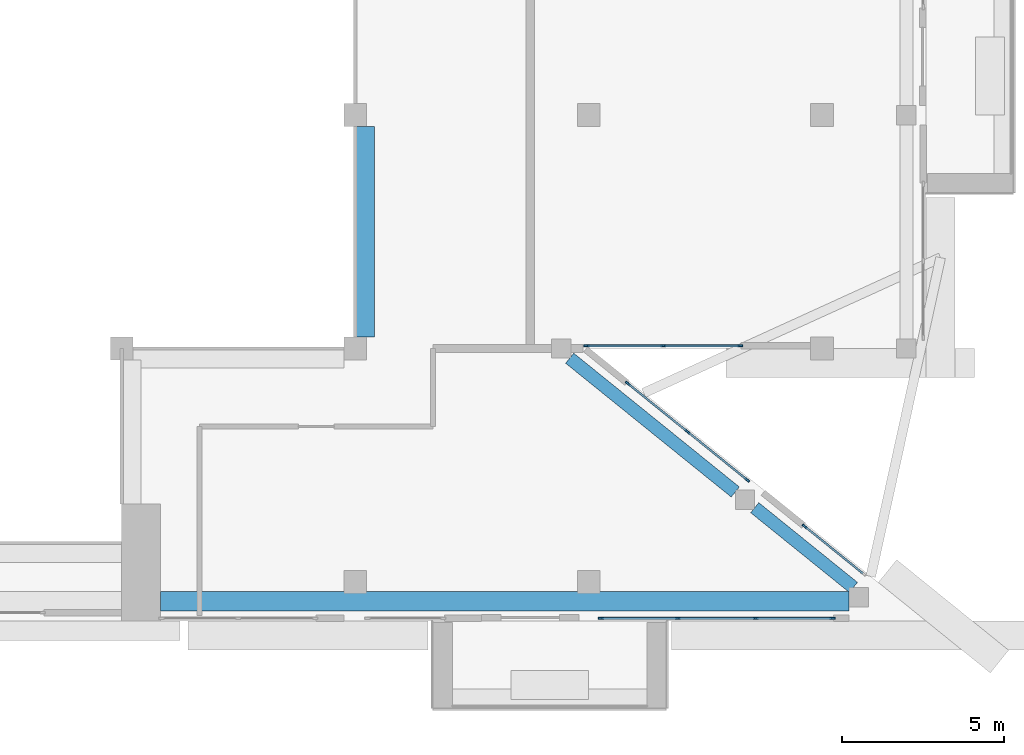
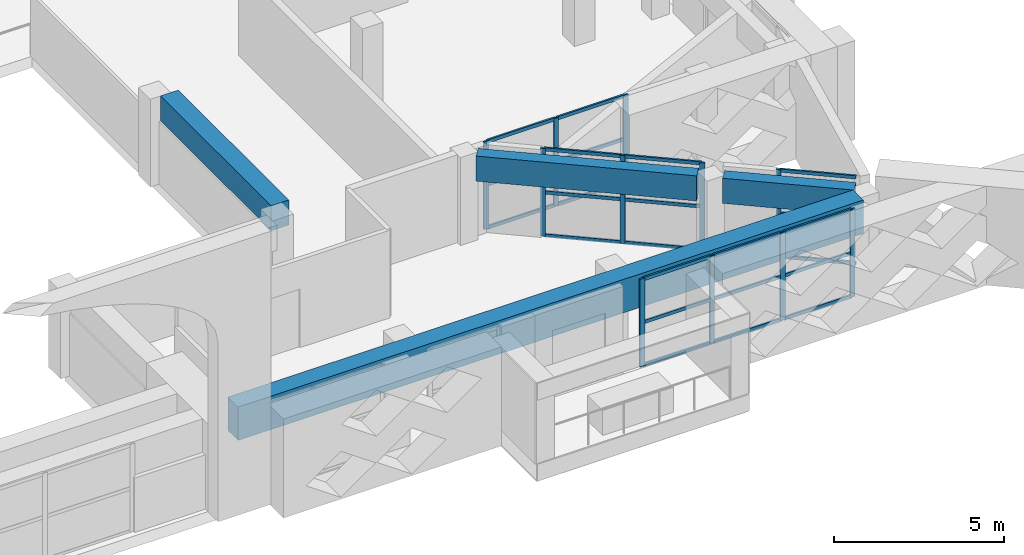
# One storey, part 5 of 22: 35 members, 4 beams, 4 elements without a shape of their own.
"""IFC4 building model written with IfcOpenShell, lengths in metres."""

from ifc_helpers import new_model, si_unit, direction, frame, origin, origin_2d, place, context, subcontext, project, spatial, rectangle, extrude, source, transform, mapped, material, layer, layer_set, material_profile, profile_set, type_object, element, aggregate, save


model = new_model("IFC4")

# Units and contexts
model_context = context("Model", 3, precision=1e-05, world=origin(), true_north=direction((0.0, 1.0)))
body_context = subcontext(model_context, "Body", "Model", "MODEL_VIEW")
ifc_project = project(units=[si_unit("LENGTHUNIT", "METRE"), si_unit("AREAUNIT", "SQUARE_METRE"), si_unit("VOLUMEUNIT", "CUBIC_METRE"), si_unit("PLANEANGLEUNIT", "RADIAN"), si_unit("MASSUNIT", "GRAM", prefix="KILO")], contexts=[model_context])

# Site, building, storey
site_placement = place(None, origin())
site = spatial("IfcSite", under=ifc_project, at=site_placement, CompositionType="ELEMENT")
building_placement = place(site_placement, origin())
building = spatial("IfcBuilding", under=site, at=building_placement, Name="Saffron Iwan Residences", CompositionType="ELEMENT")
storey_placement = place(building_placement, frame((0.0, 0.0, 271.0)))
storey = spatial("IfcBuildingStorey", under=building, at=storey_placement, Name="L73", CompositionType="ELEMENT", Elevation=271.0)

# Beams
ifc_material_1 = material(Name="Concrete C40/50", Category="concrete")
ifc_material_profile_1 = material_profile(ifc_material_1, rectangle(XDim=0.39990234375, YDim=0.89990234375, at=origin_2d()), Name="RC 400x900")
ifc_profile_set_1 = profile_set([ifc_material_profile_1], Name="Concrete C40/50")
beam_type_1 = type_object("IfcBeamType", Name="SPANDREL BEAM RC 400x900 C40/50 TOP 3150", PredefinedType="SPANDREL", material=ifc_profile_set_1)
shared_shape_1 = source(origin(), body_context, "Body", "SweptSolid", [
    extrude(rectangle(XDim=0.39990234375, YDim=0.89990234375, at=origin_2d()), origin(), (0.0, 0.0, 1.0), 3.91162109375),
])
beam_1_placement = place(storey_placement, frame((77.123046875, 43.0908203125, 2.699951171875), z_axis=(0.777943527056, -0.62833420145, 0.0), x_axis=(0.62833420145, 0.777943527056, 0.0)))
element("IfcBeam", 1, at=beam_1_placement, inside=storey, type_object=beam_type_1, Name="Spandrel beam", PredefinedType="SPANDREL", context=body_context, shape_type="MappedRepresentation", body=[
    mapped(shared_shape_1, transform((0.0, 0.0, 0.0))),
])
shared_shape_2 = source(origin(), body_context, "Body", "SweptSolid", [
    extrude(rectangle(XDim=0.39990234375, YDim=0.89990234375, at=origin_2d()), origin(), (0.0, 0.0, 1.0), 6.564208984375),
])
beam_2_placement = place(storey_placement, frame((71.41650390625, 47.699951171875, 2.699951171875), z_axis=(0.77793558619, -0.628344032946, 0.0), x_axis=(0.628344032946, 0.77793558619, 0.0)))
element("IfcBeam", 2, at=beam_2_placement, inside=storey, type_object=beam_type_1, Name="Spandrel beam", PredefinedType="SPANDREL", context=body_context, shape_type="MappedRepresentation", body=[
    mapped(shared_shape_2, transform((0.0, 0.0, 0.0))),
])
ifc_material_profile_2 = material_profile(ifc_material_1, rectangle(XDim=0.60009765625, YDim=1.199951171875, at=origin_2d()), Name="RC 600x1200")
ifc_profile_set_2 = profile_set([ifc_material_profile_2], Name="Concrete C40/50")
beam_type_2 = type_object("IfcBeamType", Name="LINTEL BEAM RC 600x1200 C40/50 TOP 3150", PredefinedType="LINTEL", material=ifc_profile_set_2)
shared_shape_3 = source(origin(), body_context, "Body", "SweptSolid", [
    extrude(rectangle(XDim=0.60009765625, YDim=1.199951171875, at=origin_2d()), origin(), (0.0, 0.0, 1.0), 21.2255859375),
])
beam_3_placement = place(storey_placement, frame((80.025634765625, 40.199951171875, 2.550048828125), z_axis=(-1.0, 0.0, 0.0), x_axis=(0.0, -1.0, 0.0)))
element("IfcBeam", 3, at=beam_3_placement, inside=storey, type_object=beam_type_2, Name="Lintel beam over the iwan", PredefinedType="LINTEL", context=body_context, shape_type="MappedRepresentation", body=[
    mapped(shared_shape_3, transform((0.0, 0.0, 0.0))),
])
ifc_material_profile_3 = material_profile(ifc_material_1, rectangle(XDim=0.60009765625, YDim=0.89990234375, at=origin_2d()), Name="RC 600x900")
ifc_profile_set_3 = profile_set([ifc_material_profile_3], Name="Concrete C40/50")
beam_type_3 = type_object("IfcBeamType", Name="BEAM RC 600x900 C40/50 TOP 3150", PredefinedType="BEAM", material=ifc_profile_set_3)
shared_shape_4 = source(origin(), body_context, "Body", "SweptSolid", [
    extrude(rectangle(XDim=0.60009765625, YDim=0.89990234375, at=origin_2d()), origin(), (0.0, 0.0, 1.0), 6.5),
])
beam_4_placement = place(storey_placement, frame((65.10009765625, 54.85009765625, 2.699951171875), z_axis=(0.0, -1.0, 0.0), x_axis=(1.0, 0.0, 0.0)))
element("IfcBeam", 4, at=beam_4_placement, inside=storey, type_object=beam_type_3, Name="Atrium edge beam", PredefinedType="BEAM", context=body_context, shape_type="MappedRepresentation", body=[
    mapped(shared_shape_4, transform((0.0, 0.0, 0.0))),
])

# Curtain wall, member
ifc_material_2 = material(Name="Clear glass, laminated double glazed", Category="glass")
ifc_layer = layer(ifc_material_2, 0.14990234375)
ifc_layer_set = layer_set([ifc_layer], Name="Clear glass, laminated double glazed")
curtain_wall_type = type_object("IfcCurtainWallType", Name="CW-E SKY CLUB GLAZING", PredefinedType="NOTDEFINED", material=ifc_layer_set)
curtain_wall_1_placement = place(storey_placement, origin())
curtain_wall_1 = element("IfcCurtainWall", 5, at=curtain_wall_1_placement, inside=storey, type_object=curtain_wall_type, Name="Glazing L73 F0.1", PredefinedType="NOTDEFINED")
ifc_material_3 = material(Name="Aluminium 6063-T6", Category="aluminium")
ifc_material_profile_4 = material_profile(ifc_material_3, rectangle(XDim=0.06005859375, YDim=0.159912109375, at=origin_2d()), Name="CW-E MULLION 60 x 160")
ifc_profile_set_4 = profile_set([ifc_material_profile_4], Name="Aluminium 6063-T6")
member_type_1 = type_object("IfcMemberType", Name="CW-E MULLION 60 x 160", PredefinedType="MULLION", material=ifc_profile_set_4)
shared_shape_5 = source(origin(), body_context, "Body", "SweptSolid", [
    extrude(rectangle(XDim=0.06005859375, YDim=0.159912109375, at=origin_2d()), origin(), (0.0, 0.0, 1.0), 3.14990234375),
])
member_1_placement = place(storey_placement, frame((78.658935546875, 42.518798828125, 0.0), z_axis=(0.0, 0.0, 1.0), x_axis=(-0.628337107185, -0.777941180125, 0.0)))
member_1 = element("IfcMember", 6, at=member_1_placement, type_object=member_type_1, Name="CW-E mullion 2", PredefinedType="MULLION", context=body_context, shape_type="MappedRepresentation", body=[
    mapped(shared_shape_5, transform((0.0, 0.0, 0.0))),
])

# Curtain wall, members
curtain_wall_2_placement = place(storey_placement, origin())
curtain_wall_2 = element("IfcCurtainWall", 7, at=curtain_wall_2_placement, inside=storey, type_object=curtain_wall_type, Name="Glazing L73 F0.2", PredefinedType="NOTDEFINED")
member_2_placement = place(storey_placement, frame((76.89306640625, 43.945068359375, 0.0), z_axis=(0.0, 0.0, 1.0), x_axis=(-0.628337107077, -0.777941180212, 0.0)))
member_2 = element("IfcMember", 8, at=member_2_placement, type_object=member_type_1, Name="CW-E mullion 1", PredefinedType="MULLION", context=body_context, shape_type="MappedRepresentation", body=[
    mapped(shared_shape_5, transform((0.0, 0.0, 0.0))),
])
member_3_placement = place(storey_placement, frame((75.04931640625, 45.434326171875, 0.0), z_axis=(0.0, 0.0, 1.0), x_axis=(-0.628337107077, -0.777941180212, 0.0)))
member_3 = element("IfcMember", 9, at=member_3_placement, type_object=member_type_1, Name="CW-E mullion 2", PredefinedType="MULLION", context=body_context, shape_type="MappedRepresentation", body=[
    mapped(shared_shape_5, transform((0.0, 0.0, 0.0))),
])
member_4_placement = place(storey_placement, frame((73.20556640625, 46.92333984375, 0.0), z_axis=(0.0, 0.0, 1.0), x_axis=(-0.628337107077, -0.777941180212, 0.0)))
member_4 = element("IfcMember", 10, at=member_4_placement, type_object=member_type_1, Name="CW-E mullion 3", PredefinedType="MULLION", context=body_context, shape_type="MappedRepresentation", body=[
    mapped(shared_shape_5, transform((0.0, 0.0, 0.0))),
])

curtain_wall_3_placement = place(storey_placement, origin())
curtain_wall_3 = element("IfcCurtainWall", 11, at=curtain_wall_3_placement, inside=storey, type_object=curtain_wall_type, Name="Glazing L73 F1.0", PredefinedType="NOTDEFINED")
member_5_placement = place(storey_placement, frame((71.93359375, 48.080078125, 0.0), z_axis=(0.0, 0.0, 1.0), x_axis=(0.0, 1.0, 0.0)))
member_5 = element("IfcMember", 12, at=member_5_placement, type_object=member_type_1, Name="CW-E mullion 1", PredefinedType="MULLION", context=body_context, shape_type="MappedRepresentation", body=[
    mapped(shared_shape_5, transform((0.0, 0.0, 0.0))),
])
member_6_placement = place(storey_placement, frame((74.3037109375, 48.080078125, 0.0), z_axis=(0.0, 0.0, 1.0), x_axis=(0.0, 1.0, 0.0)))
member_6 = element("IfcMember", 13, at=member_6_placement, type_object=member_type_1, Name="CW-E mullion 2", PredefinedType="MULLION", context=body_context, shape_type="MappedRepresentation", body=[
    mapped(shared_shape_5, transform((0.0, 0.0, 0.0))),
])
member_7_placement = place(storey_placement, frame((76.673583984375, 48.080078125, 0.0), z_axis=(0.0, 0.0, 1.0), x_axis=(0.0, 1.0, 0.0)))
member_7 = element("IfcMember", 14, at=member_7_placement, type_object=member_type_1, Name="CW-E mullion 3", PredefinedType="MULLION", context=body_context, shape_type="MappedRepresentation", body=[
    mapped(shared_shape_5, transform((0.0, 0.0, 0.0))),
])

curtain_wall_4_placement = place(storey_placement, origin())
curtain_wall_4 = element("IfcCurtainWall", 15, at=curtain_wall_4_placement, inside=storey, type_object=curtain_wall_type, Name="Glazing L73 F11.5", PredefinedType="NOTDEFINED")
member_8_placement = place(storey_placement, frame((72.3798828125, 39.679931640625, 0.0), z_axis=(0.0, 0.0, 1.0), x_axis=(0.0, 1.0, 0.0)))
member_8 = element("IfcMember", 16, at=member_8_placement, type_object=member_type_1, Name="CW-E mullion 1", PredefinedType="MULLION", context=body_context, shape_type="MappedRepresentation", body=[
    mapped(shared_shape_5, transform((0.0, 0.0, 0.0))),
])
member_9_placement = place(storey_placement, frame((74.75, 39.679931640625, 0.0), z_axis=(0.0, 0.0, 1.0), x_axis=(0.0, 1.0, 0.0)))
member_9 = element("IfcMember", 17, at=member_9_placement, type_object=member_type_1, Name="CW-E mullion 2", PredefinedType="MULLION", context=body_context, shape_type="MappedRepresentation", body=[
    mapped(shared_shape_5, transform((0.0, 0.0, 0.0))),
])
member_10_placement = place(storey_placement, frame((77.14990234375, 39.679931640625, 0.0), z_axis=(0.0, 0.0, 1.0), x_axis=(0.0, 1.0, 0.0)))
member_10 = element("IfcMember", 18, at=member_10_placement, type_object=member_type_1, Name="CW-E mullion 3", PredefinedType="MULLION", context=body_context, shape_type="MappedRepresentation", body=[
    mapped(shared_shape_5, transform((0.0, 0.0, 0.0))),
])
member_11_placement = place(storey_placement, frame((79.52001953125, 39.679931640625, 0.0), z_axis=(0.0, 0.0, 1.0), x_axis=(0.0, 1.0, 0.0)))
member_11 = element("IfcMember", 19, at=member_11_placement, type_object=member_type_1, Name="CW-E mullion 4", PredefinedType="MULLION", context=body_context, shape_type="MappedRepresentation", body=[
    mapped(shared_shape_5, transform((0.0, 0.0, 0.0))),
])

# Member
ifc_material_profile_5 = material_profile(ifc_material_3, rectangle(XDim=0.06005859375, YDim=0.1201171875, at=origin_2d()), Name="CW-E TRANSOM 60 x 120")
ifc_profile_set_5 = profile_set([ifc_material_profile_5], Name="Aluminium 6063-T6")
member_type_2 = type_object("IfcMemberType", Name="CW-E TRANSOM 60 x 120", PredefinedType="USERDEFINED", material=ifc_profile_set_5)
shared_shape_6 = source(origin(), body_context, "Body", "SweptSolid", [
    extrude(rectangle(XDim=0.06005859375, YDim=0.1201171875, at=origin_2d()), origin(), (0.0, 0.0, 1.0), 2.280029296875),
])
member_12_placement = place(storey_placement, frame((80.4560546875, 41.0673828125, 0.030029296875), z_axis=(-0.777935140749, 0.628344584434, 0.0), x_axis=(-0.628344584434, -0.777935140749, 0.0)))
member_12 = element("IfcMember", 20, at=member_12_placement, type_object=member_type_2, Name="CW-E transom 1.1", ObjectType="TRANSOM", PredefinedType="USERDEFINED", context=body_context, shape_type="MappedRepresentation", body=[
    mapped(shared_shape_6, transform((0.0, 0.0, 0.0))),
])

member_13_placement = place(storey_placement, frame((80.4560546875, 41.0673828125, 1.574951171875), z_axis=(-0.777935140749, 0.628344584434, 0.0), x_axis=(-0.628344584434, -0.777935140749, 0.0)))
member_13 = element("IfcMember", 21, at=member_13_placement, type_object=member_type_2, Name="CW-E transom 1.2", ObjectType="TRANSOM", PredefinedType="USERDEFINED", context=body_context, shape_type="MappedRepresentation", body=[
    mapped(shared_shape_6, transform((0.0, 0.0, 0.0))),
])

member_14_placement = place(storey_placement, frame((80.4560546875, 41.0673828125, 3.1201171875), z_axis=(-0.777935140749, 0.628344584434, 0.0), x_axis=(-0.628344584434, -0.777935140749, 0.0)))
member_14 = element("IfcMember", 22, at=member_14_placement, type_object=member_type_2, Name="CW-E transom 1.3", ObjectType="TRANSOM", PredefinedType="USERDEFINED", context=body_context, shape_type="MappedRepresentation", body=[
    mapped(shared_shape_6, transform((0.0, 0.0, 0.0))),
])

aggregate(curtain_wall_1, [member_1, member_12, member_13, member_14])

shared_shape_7 = source(origin(), body_context, "Body", "SweptSolid", [
    extrude(rectangle(XDim=0.06005859375, YDim=0.1201171875, at=origin_2d()), origin(), (0.0, 0.0, 1.0), 2.31005859375),
])
member_15_placement = place(storey_placement, frame((76.86962890625, 43.9638671875, 0.030029296875), z_axis=(-0.777869643613, 0.628425665887, 0.0), x_axis=(-0.628425665887, -0.777869643613, 0.0)))
member_15 = element("IfcMember", 23, at=member_15_placement, type_object=member_type_2, Name="CW-E transom 1.1", ObjectType="TRANSOM", PredefinedType="USERDEFINED", context=body_context, shape_type="MappedRepresentation", body=[
    mapped(shared_shape_7, transform((0.0, 0.0, 0.0))),
])

member_16_placement = place(storey_placement, frame((76.86962890625, 43.9638671875, 1.574951171875), z_axis=(-0.777869643613, 0.628425665887, 0.0), x_axis=(-0.628425665887, -0.777869643613, 0.0)))
member_16 = element("IfcMember", 24, at=member_16_placement, type_object=member_type_2, Name="CW-E transom 1.2", ObjectType="TRANSOM", PredefinedType="USERDEFINED", context=body_context, shape_type="MappedRepresentation", body=[
    mapped(shared_shape_7, transform((0.0, 0.0, 0.0))),
])

member_17_placement = place(storey_placement, frame((76.86962890625, 43.9638671875, 3.1201171875), z_axis=(-0.777869643613, 0.628425665887, 0.0), x_axis=(-0.628425665887, -0.777869643613, 0.0)))
member_17 = element("IfcMember", 25, at=member_17_placement, type_object=member_type_2, Name="CW-E transom 1.3", ObjectType="TRANSOM", PredefinedType="USERDEFINED", context=body_context, shape_type="MappedRepresentation", body=[
    mapped(shared_shape_7, transform((0.0, 0.0, 0.0))),
])

member_18_placement = place(storey_placement, frame((71.963623046875, 48.080078125, 0.030029296875), z_axis=(1.0, 0.0, 0.0), x_axis=(0.0, 1.0, 0.0)))
member_18 = element("IfcMember", 26, at=member_18_placement, type_object=member_type_2, Name="CW-E transom 1.1", ObjectType="TRANSOM", PredefinedType="USERDEFINED", context=body_context, shape_type="MappedRepresentation", body=[
    mapped(shared_shape_7, transform((0.0, 0.0, 0.0))),
])

member_19_placement = place(storey_placement, frame((71.963623046875, 48.080078125, 1.574951171875), z_axis=(1.0, 0.0, 0.0), x_axis=(0.0, 1.0, 0.0)))
member_19 = element("IfcMember", 27, at=member_19_placement, type_object=member_type_2, Name="CW-E transom 1.2", ObjectType="TRANSOM", PredefinedType="USERDEFINED", context=body_context, shape_type="MappedRepresentation", body=[
    mapped(shared_shape_7, transform((0.0, 0.0, 0.0))),
])

member_20_placement = place(storey_placement, frame((71.963623046875, 48.080078125, 3.1201171875), z_axis=(1.0, 0.0, 0.0), x_axis=(0.0, 1.0, 0.0)))
member_20 = element("IfcMember", 28, at=member_20_placement, type_object=member_type_2, Name="CW-E transom 1.3", ObjectType="TRANSOM", PredefinedType="USERDEFINED", context=body_context, shape_type="MappedRepresentation", body=[
    mapped(shared_shape_7, transform((0.0, 0.0, 0.0))),
])

member_21_placement = place(storey_placement, frame((74.33349609375, 48.080078125, 0.030029296875), z_axis=(1.0, 0.0, 0.0), x_axis=(0.0, 1.0, 0.0)))
member_21 = element("IfcMember", 29, at=member_21_placement, type_object=member_type_2, Name="CW-E transom 2.1", ObjectType="TRANSOM", PredefinedType="USERDEFINED", context=body_context, shape_type="MappedRepresentation", body=[
    mapped(shared_shape_7, transform((0.0, 0.0, 0.0))),
])

member_22_placement = place(storey_placement, frame((74.33349609375, 48.080078125, 1.574951171875), z_axis=(1.0, 0.0, 0.0), x_axis=(0.0, 1.0, 0.0)))
member_22 = element("IfcMember", 30, at=member_22_placement, type_object=member_type_2, Name="CW-E transom 2.2", ObjectType="TRANSOM", PredefinedType="USERDEFINED", context=body_context, shape_type="MappedRepresentation", body=[
    mapped(shared_shape_7, transform((0.0, 0.0, 0.0))),
])

member_23_placement = place(storey_placement, frame((74.33349609375, 48.080078125, 3.1201171875), z_axis=(1.0, 0.0, 0.0), x_axis=(0.0, 1.0, 0.0)))
member_23 = element("IfcMember", 31, at=member_23_placement, type_object=member_type_2, Name="CW-E transom 2.3", ObjectType="TRANSOM", PredefinedType="USERDEFINED", context=body_context, shape_type="MappedRepresentation", body=[
    mapped(shared_shape_7, transform((0.0, 0.0, 0.0))),
])

aggregate(curtain_wall_3, [member_5, member_6, member_7, member_18, member_19, member_20, member_21, member_22, member_23])

member_24_placement = place(storey_placement, frame((72.409912109375, 39.679931640625, 0.030029296875), z_axis=(1.0, 0.0, 0.0), x_axis=(0.0, 1.0, 0.0)))
member_24 = element("IfcMember", 32, at=member_24_placement, type_object=member_type_2, Name="CW-E transom 1.1", ObjectType="TRANSOM", PredefinedType="USERDEFINED", context=body_context, shape_type="MappedRepresentation", body=[
    mapped(shared_shape_7, transform((0.0, 0.0, 0.0))),
])

member_25_placement = place(storey_placement, frame((72.409912109375, 39.679931640625, 1.574951171875), z_axis=(1.0, 0.0, 0.0), x_axis=(0.0, 1.0, 0.0)))
member_25 = element("IfcMember", 33, at=member_25_placement, type_object=member_type_2, Name="CW-E transom 1.2", ObjectType="TRANSOM", PredefinedType="USERDEFINED", context=body_context, shape_type="MappedRepresentation", body=[
    mapped(shared_shape_7, transform((0.0, 0.0, 0.0))),
])

member_26_placement = place(storey_placement, frame((72.409912109375, 39.679931640625, 3.1201171875), z_axis=(1.0, 0.0, 0.0), x_axis=(0.0, 1.0, 0.0)))
member_26 = element("IfcMember", 34, at=member_26_placement, type_object=member_type_2, Name="CW-E transom 1.3", ObjectType="TRANSOM", PredefinedType="USERDEFINED", context=body_context, shape_type="MappedRepresentation", body=[
    mapped(shared_shape_7, transform((0.0, 0.0, 0.0))),
])

member_27_placement = place(storey_placement, frame((77.179931640625, 39.679931640625, 0.030029296875), z_axis=(1.0, 0.0, 0.0), x_axis=(0.0, 1.0, 0.0)))
member_27 = element("IfcMember", 35, at=member_27_placement, type_object=member_type_2, Name="CW-E transom 3.1", ObjectType="TRANSOM", PredefinedType="USERDEFINED", context=body_context, shape_type="MappedRepresentation", body=[
    mapped(shared_shape_7, transform((0.0, 0.0, 0.0))),
])

member_28_placement = place(storey_placement, frame((77.179931640625, 39.679931640625, 1.574951171875), z_axis=(1.0, 0.0, 0.0), x_axis=(0.0, 1.0, 0.0)))
member_28 = element("IfcMember", 36, at=member_28_placement, type_object=member_type_2, Name="CW-E transom 3.2", ObjectType="TRANSOM", PredefinedType="USERDEFINED", context=body_context, shape_type="MappedRepresentation", body=[
    mapped(shared_shape_7, transform((0.0, 0.0, 0.0))),
])

member_29_placement = place(storey_placement, frame((77.179931640625, 39.679931640625, 3.1201171875), z_axis=(1.0, 0.0, 0.0), x_axis=(0.0, 1.0, 0.0)))
member_29 = element("IfcMember", 37, at=member_29_placement, type_object=member_type_2, Name="CW-E transom 3.3", ObjectType="TRANSOM", PredefinedType="USERDEFINED", context=body_context, shape_type="MappedRepresentation", body=[
    mapped(shared_shape_7, transform((0.0, 0.0, 0.0))),
])

shared_shape_8 = source(origin(), body_context, "Body", "SweptSolid", [
    extrude(rectangle(XDim=0.06005859375, YDim=0.1201171875, at=origin_2d()), origin(), (0.0, 0.0, 1.0), 2.309814453125),
])
member_30_placement = place(storey_placement, frame((75.02587890625, 45.453125, 0.030029296875), z_axis=(-0.77792130862, 0.628361709205, 0.0), x_axis=(-0.628361709205, -0.77792130862, 0.0)))
member_30 = element("IfcMember", 38, at=member_30_placement, type_object=member_type_2, Name="CW-E transom 2.1", ObjectType="TRANSOM", PredefinedType="USERDEFINED", context=body_context, shape_type="MappedRepresentation", body=[
    mapped(shared_shape_8, transform((0.0, 0.0, 0.0))),
])

member_31_placement = place(storey_placement, frame((75.02587890625, 45.453125, 1.574951171875), z_axis=(-0.77792130862, 0.628361709205, 0.0), x_axis=(-0.628361709205, -0.77792130862, 0.0)))
member_31 = element("IfcMember", 39, at=member_31_placement, type_object=member_type_2, Name="CW-E transom 2.2", ObjectType="TRANSOM", PredefinedType="USERDEFINED", context=body_context, shape_type="MappedRepresentation", body=[
    mapped(shared_shape_8, transform((0.0, 0.0, 0.0))),
])

member_32_placement = place(storey_placement, frame((75.02587890625, 45.453125, 3.1201171875), z_axis=(-0.77792130862, 0.628361709205, 0.0), x_axis=(-0.628361709205, -0.77792130862, 0.0)))
member_32 = element("IfcMember", 40, at=member_32_placement, type_object=member_type_2, Name="CW-E transom 2.3", ObjectType="TRANSOM", PredefinedType="USERDEFINED", context=body_context, shape_type="MappedRepresentation", body=[
    mapped(shared_shape_8, transform((0.0, 0.0, 0.0))),
])

aggregate(curtain_wall_2, [member_2, member_3, member_4, member_15, member_16, member_17, member_30, member_31, member_32])

shared_shape_9 = source(origin(), body_context, "Body", "SweptSolid", [
    extrude(rectangle(XDim=0.06005859375, YDim=0.1201171875, at=origin_2d()), origin(), (0.0, 0.0, 1.0), 2.340087890625),
])
member_33_placement = place(storey_placement, frame((74.780029296875, 39.679931640625, 0.030029296875), z_axis=(1.0, 0.0, 0.0), x_axis=(0.0, 1.0, 0.0)))
member_33 = element("IfcMember", 41, at=member_33_placement, type_object=member_type_2, Name="CW-E transom 2.1", ObjectType="TRANSOM", PredefinedType="USERDEFINED", context=body_context, shape_type="MappedRepresentation", body=[
    mapped(shared_shape_9, transform((0.0, 0.0, 0.0))),
])

member_34_placement = place(storey_placement, frame((74.780029296875, 39.679931640625, 1.574951171875), z_axis=(1.0, 0.0, 0.0), x_axis=(0.0, 1.0, 0.0)))
member_34 = element("IfcMember", 42, at=member_34_placement, type_object=member_type_2, Name="CW-E transom 2.2", ObjectType="TRANSOM", PredefinedType="USERDEFINED", context=body_context, shape_type="MappedRepresentation", body=[
    mapped(shared_shape_9, transform((0.0, 0.0, 0.0))),
])

member_35_placement = place(storey_placement, frame((74.780029296875, 39.679931640625, 3.1201171875), z_axis=(1.0, 0.0, 0.0), x_axis=(0.0, 1.0, 0.0)))
member_35 = element("IfcMember", 43, at=member_35_placement, type_object=member_type_2, Name="CW-E transom 2.3", ObjectType="TRANSOM", PredefinedType="USERDEFINED", context=body_context, shape_type="MappedRepresentation", body=[
    mapped(shared_shape_9, transform((0.0, 0.0, 0.0))),
])

aggregate(curtain_wall_4, [member_8, member_9, member_10, member_11, member_24, member_25, member_26, member_33, member_34, member_35, member_27, member_28, member_29])

save(model, "model.ifc")
